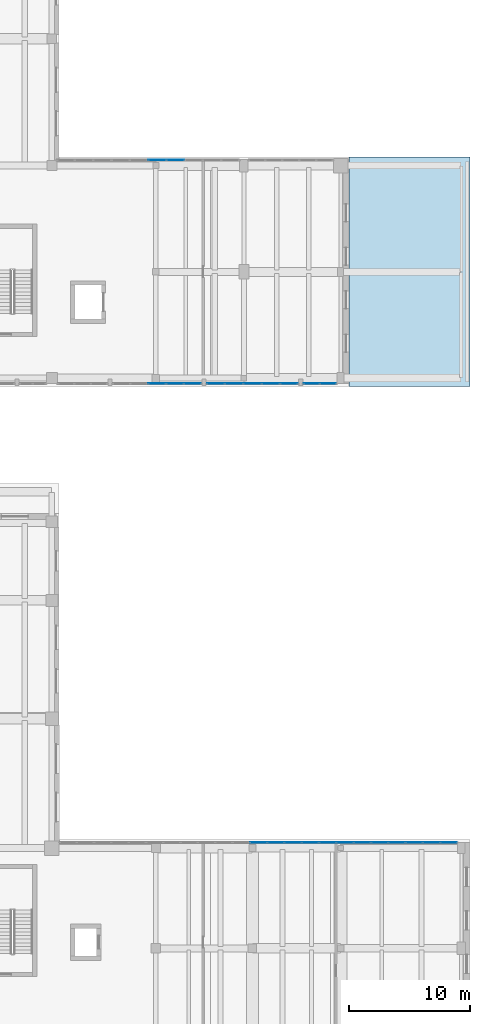
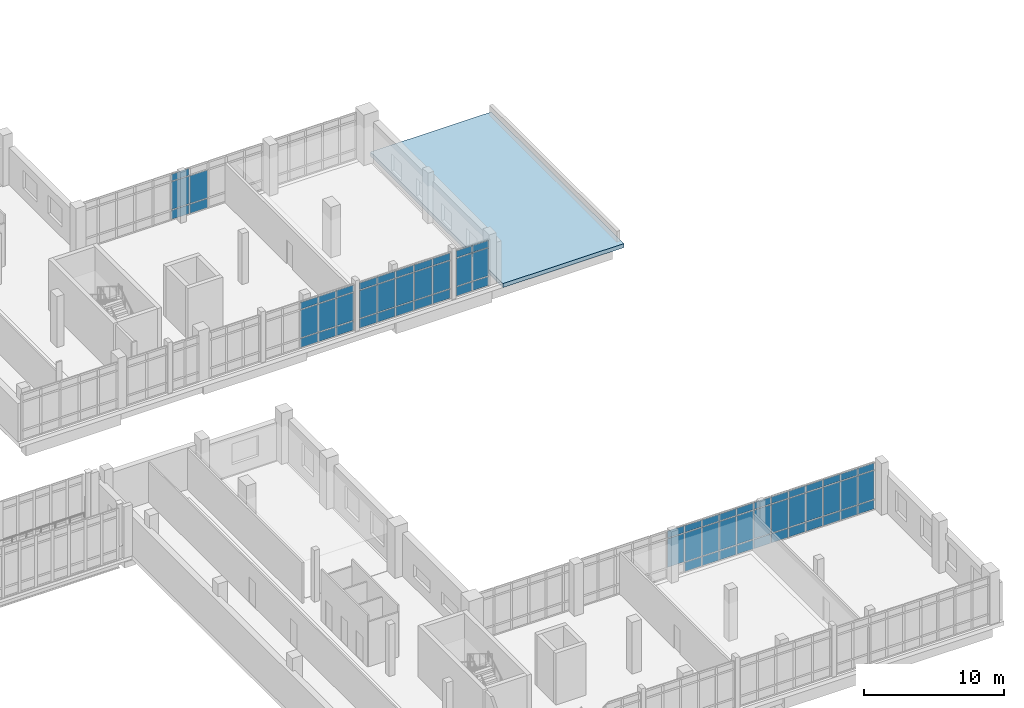
# One storey, part 58 of 89: 70 plates, 1 slab, 5 elements without a shape of their own.
"""IFC4 building model written with IfcOpenShell, lengths in metres."""

from ifc_helpers import new_model, si_unit, direction, frame, origin, origin_2d, place, context, subcontext, project, spatial, polyline, rectangle, outline, extrude, material, layer, layer_set, type_object, element, aggregate, save


model = new_model("IFC4")

# Units and contexts
model_context = context("Model", 3, precision=1e-05, world=origin(), true_north=direction((0.0, 1.0)))
body_context = subcontext(model_context, "Body", "Model", "MODEL_VIEW")
ifc_project = project(units=[si_unit("LENGTHUNIT", "METRE"), si_unit("AREAUNIT", "SQUARE_METRE"), si_unit("VOLUMEUNIT", "CUBIC_METRE"), si_unit("PLANEANGLEUNIT", "RADIAN"), si_unit("MASSUNIT", "GRAM", prefix="KILO")], contexts=[model_context])

# Site, building, storey
site_placement = place(None, origin())
site = spatial("IfcSite", under=ifc_project, at=site_placement, CompositionType="ELEMENT")
building_placement = place(site_placement, origin())
building = spatial("IfcBuilding", under=site, at=building_placement, Name="Soyqirgoq Riverine Aquarium", CompositionType="ELEMENT")
storey_placement = place(building_placement, frame((0.0, 0.0, 5.39990234375)))
storey = spatial("IfcBuildingStorey", under=building, at=storey_placement, Name="L02", CompositionType="ELEMENT", Elevation=5.39990234375)

# Curtain wall, plates
ifc_material_1 = material(Name="Anodised aluminium thermally broken gallery curtain wall", Category="aluminium")
curtain_wall_type = type_object("IfcCurtainWallType", Name="CW_Pavilion_Ribbon", PredefinedType="NOTDEFINED", material=ifc_material_1)
curtain_wall_1_placement = place(storey_placement, origin())
curtain_wall_1 = element("IfcCurtainWall", 1, at=curtain_wall_1_placement, inside=storey, type_object=curtain_wall_type, Name="V6 L02 Curtain Wall 112", PredefinedType="NOTDEFINED")
ifc_material_2 = material(Name="Triple insulated laminated low-E glass", Category="glass")
ifc_layer_1 = layer(ifc_material_2, 0.0458984375)
ifc_layer_set_1 = layer_set([ifc_layer_1], Name="Triple insulated laminated low-E glass")
plate_type_1 = type_object("IfcPlateType", Name="CWGlazedPanel_46", PredefinedType="CURTAIN_PANEL", material=ifc_layer_set_1)
plate_1_placement = place(storey_placement, frame((146.5, 18.25, 0.9375), z_axis=(0.0, 0.0, 1.0), x_axis=(1.0, 0.0, 0.0)))
plate_1 = element("IfcPlate", 2, at=plate_1_placement, type_object=plate_type_1, Name="CW-05 panel 12.2", PredefinedType="CURTAIN_PANEL", context=body_context, shape_type="SweptSolid", body=[
    extrude(rectangle(XDim=1.3681640625, YDim=0.0458984375, at=origin_2d()), origin(), (0.0, 0.0, 1.0), 2.4951171875),
])
plate_2_placement = place(storey_placement, frame((146.5, 18.25, 3.507568359375), z_axis=(0.0, 0.0, 1.0), x_axis=(1.0, 0.0, 0.0)))
plate_2 = element("IfcPlate", 3, at=plate_2_placement, type_object=plate_type_1, Name="CW-05 panel 12.3", PredefinedType="CURTAIN_PANEL", context=body_context, shape_type="SweptSolid", body=[
    extrude(rectangle(XDim=1.3681640625, YDim=0.0458984375, at=origin_2d()), origin(), (0.0, 0.0, 1.0), 0.58740234375),
])
plate_3_placement = place(storey_placement, frame((147.93310546875, 18.25, 0.074951171875), z_axis=(0.0, 0.0, 1.0), x_axis=(1.0, 0.0, 0.0)))
plate_3 = element("IfcPlate", 4, at=plate_3_placement, type_object=plate_type_1, Name="CW-05 panel 13.1", PredefinedType="CURTAIN_PANEL", context=body_context, shape_type="SweptSolid", body=[
    extrude(rectangle(XDim=1.3681640625, YDim=0.0458984375, at=origin_2d()), origin(), (0.0, 0.0, 1.0), 0.78759765625),
])
plate_4_placement = place(storey_placement, frame((147.93310546875, 18.25, 0.9375), z_axis=(0.0, 0.0, 1.0), x_axis=(1.0, 0.0, 0.0)))
plate_4 = element("IfcPlate", 5, at=plate_4_placement, type_object=plate_type_1, Name="CW-05 panel 13.2", PredefinedType="CURTAIN_PANEL", context=body_context, shape_type="SweptSolid", body=[
    extrude(rectangle(XDim=1.3681640625, YDim=0.0458984375, at=origin_2d()), origin(), (0.0, 0.0, 1.0), 2.4951171875),
])
plate_5_placement = place(storey_placement, frame((147.93310546875, 18.25, 3.507568359375), z_axis=(0.0, 0.0, 1.0), x_axis=(1.0, 0.0, 0.0)))
plate_5 = element("IfcPlate", 6, at=plate_5_placement, type_object=plate_type_1, Name="CW-05 panel 13.3", PredefinedType="CURTAIN_PANEL", context=body_context, shape_type="SweptSolid", body=[
    extrude(rectangle(XDim=1.3681640625, YDim=0.0458984375, at=origin_2d()), origin(), (0.0, 0.0, 1.0), 0.58740234375),
])
plate_6_placement = place(storey_placement, frame((149.365966796875, 18.25, 0.074951171875), z_axis=(0.0, 0.0, 1.0), x_axis=(1.0, 0.0, 0.0)))
plate_6 = element("IfcPlate", 7, at=plate_6_placement, type_object=plate_type_1, Name="CW-05 panel 14.1", PredefinedType="CURTAIN_PANEL", context=body_context, shape_type="SweptSolid", body=[
    extrude(rectangle(XDim=1.3681640625, YDim=0.0458984375, at=origin_2d()), origin(), (0.0, 0.0, 1.0), 0.78759765625),
])
plate_7_placement = place(storey_placement, frame((149.365966796875, 18.25, 0.9375), z_axis=(0.0, 0.0, 1.0), x_axis=(1.0, 0.0, 0.0)))
plate_7 = element("IfcPlate", 8, at=plate_7_placement, type_object=plate_type_1, Name="CW-05 panel 14.2", PredefinedType="CURTAIN_PANEL", context=body_context, shape_type="SweptSolid", body=[
    extrude(rectangle(XDim=1.3681640625, YDim=0.0458984375, at=origin_2d()), origin(), (0.0, 0.0, 1.0), 2.4951171875),
])
plate_8_placement = place(storey_placement, frame((149.365966796875, 18.25, 3.507568359375), z_axis=(0.0, 0.0, 1.0), x_axis=(1.0, 0.0, 0.0)))
plate_8 = element("IfcPlate", 9, at=plate_8_placement, type_object=plate_type_1, Name="CW-05 panel 14.3", PredefinedType="CURTAIN_PANEL", context=body_context, shape_type="SweptSolid", body=[
    extrude(rectangle(XDim=1.3681640625, YDim=0.0458984375, at=origin_2d()), origin(), (0.0, 0.0, 1.0), 0.58740234375),
])
plate_9_placement = place(storey_placement, frame((150.799072265625, 18.25, 0.074951171875), z_axis=(0.0, 0.0, 1.0), x_axis=(1.0, 0.0, 0.0)))
plate_9 = element("IfcPlate", 10, at=plate_9_placement, type_object=plate_type_1, Name="CW-05 panel 15.1", PredefinedType="CURTAIN_PANEL", context=body_context, shape_type="SweptSolid", body=[
    extrude(rectangle(XDim=1.3681640625, YDim=0.0458984375, at=origin_2d()), origin(), (0.0, 0.0, 1.0), 0.78759765625),
])
plate_10_placement = place(storey_placement, frame((150.799072265625, 18.25, 0.9375), z_axis=(0.0, 0.0, 1.0), x_axis=(1.0, 0.0, 0.0)))
plate_10 = element("IfcPlate", 11, at=plate_10_placement, type_object=plate_type_1, Name="CW-05 panel 15.2", PredefinedType="CURTAIN_PANEL", context=body_context, shape_type="SweptSolid", body=[
    extrude(rectangle(XDim=1.3681640625, YDim=0.0458984375, at=origin_2d()), origin(), (0.0, 0.0, 1.0), 2.4951171875),
])
plate_11_placement = place(storey_placement, frame((150.799072265625, 18.25, 3.507568359375), z_axis=(0.0, 0.0, 1.0), x_axis=(1.0, 0.0, 0.0)))
plate_11 = element("IfcPlate", 12, at=plate_11_placement, type_object=plate_type_1, Name="CW-05 panel 15.3", PredefinedType="CURTAIN_PANEL", context=body_context, shape_type="SweptSolid", body=[
    extrude(rectangle(XDim=1.3681640625, YDim=0.0458984375, at=origin_2d()), origin(), (0.0, 0.0, 1.0), 0.58740234375),
])
plate_12_placement = place(storey_placement, frame((152.232177734375, 18.25, 0.074951171875), z_axis=(0.0, 0.0, 1.0), x_axis=(1.0, 0.0, 0.0)))
plate_12 = element("IfcPlate", 13, at=plate_12_placement, type_object=plate_type_1, Name="CW-05 panel 16.1", PredefinedType="CURTAIN_PANEL", context=body_context, shape_type="SweptSolid", body=[
    extrude(rectangle(XDim=1.3681640625, YDim=0.0458984375, at=origin_2d()), origin(), (0.0, 0.0, 1.0), 0.78759765625),
])
plate_13_placement = place(storey_placement, frame((152.232177734375, 18.25, 0.9375), z_axis=(0.0, 0.0, 1.0), x_axis=(1.0, 0.0, 0.0)))
plate_13 = element("IfcPlate", 14, at=plate_13_placement, type_object=plate_type_1, Name="CW-05 panel 16.2", PredefinedType="CURTAIN_PANEL", context=body_context, shape_type="SweptSolid", body=[
    extrude(rectangle(XDim=1.3681640625, YDim=0.0458984375, at=origin_2d()), origin(), (0.0, 0.0, 1.0), 2.4951171875),
])
plate_14_placement = place(storey_placement, frame((152.232177734375, 18.25, 3.507568359375), z_axis=(0.0, 0.0, 1.0), x_axis=(1.0, 0.0, 0.0)))
plate_14 = element("IfcPlate", 15, at=plate_14_placement, type_object=plate_type_1, Name="CW-05 panel 16.3", PredefinedType="CURTAIN_PANEL", context=body_context, shape_type="SweptSolid", body=[
    extrude(rectangle(XDim=1.3681640625, YDim=0.0458984375, at=origin_2d()), origin(), (0.0, 0.0, 1.0), 0.58740234375),
])
plate_15_placement = place(storey_placement, frame((153.665283203125, 18.25, 0.074951171875), z_axis=(0.0, 0.0, 1.0), x_axis=(1.0, 0.0, 0.0)))
plate_15 = element("IfcPlate", 16, at=plate_15_placement, type_object=plate_type_1, Name="CW-05 panel 17.1", PredefinedType="CURTAIN_PANEL", context=body_context, shape_type="SweptSolid", body=[
    extrude(rectangle(XDim=1.3681640625, YDim=0.0458984375, at=origin_2d()), origin(), (0.0, 0.0, 1.0), 0.78759765625),
])
plate_16_placement = place(storey_placement, frame((153.665283203125, 18.25, 0.9375), z_axis=(0.0, 0.0, 1.0), x_axis=(1.0, 0.0, 0.0)))
plate_16 = element("IfcPlate", 17, at=plate_16_placement, type_object=plate_type_1, Name="CW-05 panel 17.2", PredefinedType="CURTAIN_PANEL", context=body_context, shape_type="SweptSolid", body=[
    extrude(rectangle(XDim=1.3681640625, YDim=0.0458984375, at=origin_2d()), origin(), (0.0, 0.0, 1.0), 2.4951171875),
])
plate_17_placement = place(storey_placement, frame((153.665283203125, 18.25, 3.507568359375), z_axis=(0.0, 0.0, 1.0), x_axis=(1.0, 0.0, 0.0)))
plate_17 = element("IfcPlate", 18, at=plate_17_placement, type_object=plate_type_1, Name="CW-05 panel 17.3", PredefinedType="CURTAIN_PANEL", context=body_context, shape_type="SweptSolid", body=[
    extrude(rectangle(XDim=1.3681640625, YDim=0.0458984375, at=origin_2d()), origin(), (0.0, 0.0, 1.0), 0.58740234375),
])
plate_18_placement = place(storey_placement, frame((155.09814453125, 18.25, 0.074951171875), z_axis=(0.0, 0.0, 1.0), x_axis=(1.0, 0.0, 0.0)))
plate_18 = element("IfcPlate", 19, at=plate_18_placement, type_object=plate_type_1, Name="CW-05 panel 18.1", PredefinedType="CURTAIN_PANEL", context=body_context, shape_type="SweptSolid", body=[
    extrude(rectangle(XDim=1.3681640625, YDim=0.0458984375, at=origin_2d()), origin(), (0.0, 0.0, 1.0), 0.78759765625),
])
plate_19_placement = place(storey_placement, frame((155.09814453125, 18.25, 0.9375), z_axis=(0.0, 0.0, 1.0), x_axis=(1.0, 0.0, 0.0)))
plate_19 = element("IfcPlate", 20, at=plate_19_placement, type_object=plate_type_1, Name="CW-05 panel 18.2", PredefinedType="CURTAIN_PANEL", context=body_context, shape_type="SweptSolid", body=[
    extrude(rectangle(XDim=1.3681640625, YDim=0.0458984375, at=origin_2d()), origin(), (0.0, 0.0, 1.0), 2.4951171875),
])
plate_20_placement = place(storey_placement, frame((155.09814453125, 18.25, 3.507568359375), z_axis=(0.0, 0.0, 1.0), x_axis=(1.0, 0.0, 0.0)))
plate_20 = element("IfcPlate", 21, at=plate_20_placement, type_object=plate_type_1, Name="CW-05 panel 18.3", PredefinedType="CURTAIN_PANEL", context=body_context, shape_type="SweptSolid", body=[
    extrude(rectangle(XDim=1.3681640625, YDim=0.0458984375, at=origin_2d()), origin(), (0.0, 0.0, 1.0), 0.58740234375),
])
plate_21_placement = place(storey_placement, frame((156.53125, 18.25, 0.074951171875), z_axis=(0.0, 0.0, 1.0), x_axis=(1.0, 0.0, 0.0)))
plate_21 = element("IfcPlate", 22, at=plate_21_placement, type_object=plate_type_1, Name="CW-05 panel 19.1", PredefinedType="CURTAIN_PANEL", context=body_context, shape_type="SweptSolid", body=[
    extrude(rectangle(XDim=1.3681640625, YDim=0.0458984375, at=origin_2d()), origin(), (0.0, 0.0, 1.0), 0.78759765625),
])
plate_22_placement = place(storey_placement, frame((156.53125, 18.25, 0.9375), z_axis=(0.0, 0.0, 1.0), x_axis=(1.0, 0.0, 0.0)))
plate_22 = element("IfcPlate", 23, at=plate_22_placement, type_object=plate_type_1, Name="CW-05 panel 19.2", PredefinedType="CURTAIN_PANEL", context=body_context, shape_type="SweptSolid", body=[
    extrude(rectangle(XDim=1.3681640625, YDim=0.0458984375, at=origin_2d()), origin(), (0.0, 0.0, 1.0), 2.4951171875),
])
plate_23_placement = place(storey_placement, frame((156.53125, 18.25, 3.507568359375), z_axis=(0.0, 0.0, 1.0), x_axis=(1.0, 0.0, 0.0)))
plate_23 = element("IfcPlate", 24, at=plate_23_placement, type_object=plate_type_1, Name="CW-05 panel 19.3", PredefinedType="CURTAIN_PANEL", context=body_context, shape_type="SweptSolid", body=[
    extrude(rectangle(XDim=1.3681640625, YDim=0.0458984375, at=origin_2d()), origin(), (0.0, 0.0, 1.0), 0.58740234375),
])
plate_24_placement = place(storey_placement, frame((157.96435546875, 18.25, 0.074951171875), z_axis=(0.0, 0.0, 1.0), x_axis=(1.0, 0.0, 0.0)))
plate_24 = element("IfcPlate", 25, at=plate_24_placement, type_object=plate_type_1, Name="CW-05 panel 20.1", PredefinedType="CURTAIN_PANEL", context=body_context, shape_type="SweptSolid", body=[
    extrude(rectangle(XDim=1.3681640625, YDim=0.0458984375, at=origin_2d()), origin(), (0.0, 0.0, 1.0), 0.78759765625),
])
plate_25_placement = place(storey_placement, frame((157.96435546875, 18.25, 0.9375), z_axis=(0.0, 0.0, 1.0), x_axis=(1.0, 0.0, 0.0)))
plate_25 = element("IfcPlate", 26, at=plate_25_placement, type_object=plate_type_1, Name="CW-05 panel 20.2", PredefinedType="CURTAIN_PANEL", context=body_context, shape_type="SweptSolid", body=[
    extrude(rectangle(XDim=1.3681640625, YDim=0.0458984375, at=origin_2d()), origin(), (0.0, 0.0, 1.0), 2.4951171875),
])
plate_26_placement = place(storey_placement, frame((157.96435546875, 18.25, 3.507568359375), z_axis=(0.0, 0.0, 1.0), x_axis=(1.0, 0.0, 0.0)))
plate_26 = element("IfcPlate", 27, at=plate_26_placement, type_object=plate_type_1, Name="CW-05 panel 20.3", PredefinedType="CURTAIN_PANEL", context=body_context, shape_type="SweptSolid", body=[
    extrude(rectangle(XDim=1.3681640625, YDim=0.0458984375, at=origin_2d()), origin(), (0.0, 0.0, 1.0), 0.58740234375),
])
plate_27_placement = place(storey_placement, frame((159.3974609375, 18.25, 0.074951171875), z_axis=(0.0, 0.0, 1.0), x_axis=(1.0, 0.0, 0.0)))
plate_27 = element("IfcPlate", 28, at=plate_27_placement, type_object=plate_type_1, Name="CW-05 panel 21.1", PredefinedType="CURTAIN_PANEL", context=body_context, shape_type="SweptSolid", body=[
    extrude(rectangle(XDim=1.3681640625, YDim=0.0458984375, at=origin_2d()), origin(), (0.0, 0.0, 1.0), 0.78759765625),
])
plate_28_placement = place(storey_placement, frame((159.3974609375, 18.25, 0.9375), z_axis=(0.0, 0.0, 1.0), x_axis=(1.0, 0.0, 0.0)))
plate_28 = element("IfcPlate", 29, at=plate_28_placement, type_object=plate_type_1, Name="CW-05 panel 21.2", PredefinedType="CURTAIN_PANEL", context=body_context, shape_type="SweptSolid", body=[
    extrude(rectangle(XDim=1.3681640625, YDim=0.0458984375, at=origin_2d()), origin(), (0.0, 0.0, 1.0), 2.4951171875),
])
plate_29_placement = place(storey_placement, frame((159.3974609375, 18.25, 3.507568359375), z_axis=(0.0, 0.0, 1.0), x_axis=(1.0, 0.0, 0.0)))
plate_29 = element("IfcPlate", 30, at=plate_29_placement, type_object=plate_type_1, Name="CW-05 panel 21.3", PredefinedType="CURTAIN_PANEL", context=body_context, shape_type="SweptSolid", body=[
    extrude(rectangle(XDim=1.3681640625, YDim=0.0458984375, at=origin_2d()), origin(), (0.0, 0.0, 1.0), 0.58740234375),
])
plate_30_placement = place(storey_placement, frame((160.830322265625, 18.25, 0.074951171875), z_axis=(0.0, 0.0, 1.0), x_axis=(1.0, 0.0, 0.0)))
plate_30 = element("IfcPlate", 31, at=plate_30_placement, type_object=plate_type_1, Name="CW-05 panel 22.1", PredefinedType="CURTAIN_PANEL", context=body_context, shape_type="SweptSolid", body=[
    extrude(rectangle(XDim=1.3681640625, YDim=0.0458984375, at=origin_2d()), origin(), (0.0, 0.0, 1.0), 0.78759765625),
])
plate_31_placement = place(storey_placement, frame((160.830322265625, 18.25, 0.9375), z_axis=(0.0, 0.0, 1.0), x_axis=(1.0, 0.0, 0.0)))
plate_31 = element("IfcPlate", 32, at=plate_31_placement, type_object=plate_type_1, Name="CW-05 panel 22.2", PredefinedType="CURTAIN_PANEL", context=body_context, shape_type="SweptSolid", body=[
    extrude(rectangle(XDim=1.3681640625, YDim=0.0458984375, at=origin_2d()), origin(), (0.0, 0.0, 1.0), 2.4951171875),
])
plate_32_placement = place(storey_placement, frame((160.830322265625, 18.25, 3.507568359375), z_axis=(0.0, 0.0, 1.0), x_axis=(1.0, 0.0, 0.0)))
plate_32 = element("IfcPlate", 33, at=plate_32_placement, type_object=plate_type_1, Name="CW-05 panel 22.3", PredefinedType="CURTAIN_PANEL", context=body_context, shape_type="SweptSolid", body=[
    extrude(rectangle(XDim=1.3681640625, YDim=0.0458984375, at=origin_2d()), origin(), (0.0, 0.0, 1.0), 0.58740234375),
])
plate_33_placement = place(storey_placement, frame((162.247314453125, 18.25, 0.074951171875), z_axis=(0.0, 0.0, 1.0), x_axis=(1.0, 0.0, 0.0)))
plate_33 = element("IfcPlate", 34, at=plate_33_placement, type_object=plate_type_1, Name="CW-05 panel 23.1", PredefinedType="CURTAIN_PANEL", context=body_context, shape_type="SweptSolid", body=[
    extrude(rectangle(XDim=1.33544921875, YDim=0.0458984375, at=origin_2d()), origin(), (0.0, 0.0, 1.0), 0.78759765625),
])
plate_34_placement = place(storey_placement, frame((162.247314453125, 18.25, 0.9375), z_axis=(0.0, 0.0, 1.0), x_axis=(1.0, 0.0, 0.0)))
plate_34 = element("IfcPlate", 35, at=plate_34_placement, type_object=plate_type_1, Name="CW-05 panel 23.2", PredefinedType="CURTAIN_PANEL", context=body_context, shape_type="SweptSolid", body=[
    extrude(rectangle(XDim=1.33544921875, YDim=0.0458984375, at=origin_2d()), origin(), (0.0, 0.0, 1.0), 2.4951171875),
])
plate_35_placement = place(storey_placement, frame((162.247314453125, 18.25, 3.507568359375), z_axis=(0.0, 0.0, 1.0), x_axis=(1.0, 0.0, 0.0)))
plate_35 = element("IfcPlate", 36, at=plate_35_placement, type_object=plate_type_1, Name="CW-05 panel 23.3", PredefinedType="CURTAIN_PANEL", context=body_context, shape_type="SweptSolid", body=[
    extrude(rectangle(XDim=1.33544921875, YDim=0.0458984375, at=origin_2d()), origin(), (0.0, 0.0, 1.0), 0.58740234375),
])
aggregate(curtain_wall_1, [plate_1, plate_2, plate_3, plate_4, plate_5, plate_6, plate_7, plate_8, plate_9, plate_10, plate_11, plate_12, plate_13, plate_14, plate_15, plate_16, plate_17, plate_18, plate_19, plate_20, plate_21, plate_22, plate_23, plate_24, plate_25, plate_26, plate_27, plate_28, plate_29, plate_30, plate_31, plate_32, plate_33, plate_34, plate_35])

curtain_wall_2_placement = place(storey_placement, origin())
curtain_wall_2 = element("IfcCurtainWall", 37, at=curtain_wall_2_placement, inside=storey, type_object=curtain_wall_type, Name="V7 L02 Curtain Wall 123", PredefinedType="NOTDEFINED")
plate_36_placement = place(storey_placement, frame((138.116943359375, 74.75, 0.074951171875), z_axis=(0.0, 0.0, 1.0), x_axis=(1.0, 0.0, 0.0)))
plate_36 = element("IfcPlate", 38, at=plate_36_placement, type_object=plate_type_1, Name="CW-05 panel 6.1", PredefinedType="CURTAIN_PANEL", context=body_context, shape_type="SweptSolid", body=[
    extrude(rectangle(XDim=1.448974609375, YDim=0.0458984375, at=origin_2d()), origin(), (0.0, 0.0, 1.0), 0.78759765625),
])
plate_37_placement = place(storey_placement, frame((138.116943359375, 74.75, 0.9375), z_axis=(0.0, 0.0, 1.0), x_axis=(1.0, 0.0, 0.0)))
plate_37 = element("IfcPlate", 39, at=plate_37_placement, type_object=plate_type_1, Name="CW-05 panel 6.2", PredefinedType="CURTAIN_PANEL", context=body_context, shape_type="SweptSolid", body=[
    extrude(rectangle(XDim=1.448974609375, YDim=0.0458984375, at=origin_2d()), origin(), (0.0, 0.0, 1.0), 2.425048828125),
])
plate_38_placement = place(storey_placement, frame((138.116943359375, 74.75, 3.437744140625), z_axis=(0.0, 0.0, 1.0), x_axis=(1.0, 0.0, 0.0)))
plate_38 = element("IfcPlate", 40, at=plate_38_placement, type_object=plate_type_1, Name="CW-05 panel 6.3", PredefinedType="CURTAIN_PANEL", context=body_context, shape_type="SweptSolid", body=[
    extrude(rectangle(XDim=1.448974609375, YDim=0.0458984375, at=origin_2d()), origin(), (0.0, 0.0, 1.0), 0.58740234375),
])
plate_39_placement = place(storey_placement, frame((139.631103515625, 74.75, 0.074951171875), z_axis=(0.0, 0.0, 1.0), x_axis=(1.0, 0.0, 0.0)))
plate_39 = element("IfcPlate", 41, at=plate_39_placement, type_object=plate_type_1, Name="CW-05 panel 7.1", PredefinedType="CURTAIN_PANEL", context=body_context, shape_type="SweptSolid", body=[
    extrude(rectangle(XDim=1.448974609375, YDim=0.0458984375, at=origin_2d()), origin(), (0.0, 0.0, 1.0), 0.78759765625),
])
plate_40_placement = place(storey_placement, frame((139.631103515625, 74.75, 0.9375), z_axis=(0.0, 0.0, 1.0), x_axis=(1.0, 0.0, 0.0)))
plate_40 = element("IfcPlate", 42, at=plate_40_placement, type_object=plate_type_1, Name="CW-05 panel 7.2", PredefinedType="CURTAIN_PANEL", context=body_context, shape_type="SweptSolid", body=[
    extrude(rectangle(XDim=1.448974609375, YDim=0.0458984375, at=origin_2d()), origin(), (0.0, 0.0, 1.0), 2.425048828125),
])
aggregate(curtain_wall_2, [plate_36, plate_37, plate_38, plate_39, plate_40])

curtain_wall_3_placement = place(storey_placement, origin())
curtain_wall_3 = element("IfcCurtainWall", 43, at=curtain_wall_3_placement, inside=storey, type_object=curtain_wall_type, Name="V7 L02 Curtain Wall 125", PredefinedType="NOTDEFINED")
plate_41_placement = place(storey_placement, frame((152.267578125, 56.25, 0.074951171875), z_axis=(0.0, 0.0, 1.0), x_axis=(-1.0, 0.0, 0.0)))
plate_41 = element("IfcPlate", 44, at=plate_41_placement, type_object=plate_type_1, Name="CW-05 panel 1.1", PredefinedType="CURTAIN_PANEL", context=body_context, shape_type="SweptSolid", body=[
    extrude(rectangle(XDim=1.294921875, YDim=0.0458984375, at=origin_2d()), origin(), (0.0, 0.0, 1.0), 0.78759765625),
])
plate_42_placement = place(storey_placement, frame((152.267578125, 56.25, 0.9375), z_axis=(0.0, 0.0, 1.0), x_axis=(-1.0, 0.0, 0.0)))
plate_42 = element("IfcPlate", 45, at=plate_42_placement, type_object=plate_type_1, Name="CW-05 panel 1.2", PredefinedType="CURTAIN_PANEL", context=body_context, shape_type="SweptSolid", body=[
    extrude(rectangle(XDim=1.294921875, YDim=0.0458984375, at=origin_2d()), origin(), (0.0, 0.0, 1.0), 2.425048828125),
])
plate_43_placement = place(storey_placement, frame((152.267578125, 56.25, 3.437744140625), z_axis=(0.0, 0.0, 1.0), x_axis=(-1.0, 0.0, 0.0)))
plate_43 = element("IfcPlate", 46, at=plate_43_placement, type_object=plate_type_1, Name="CW-05 panel 1.3", PredefinedType="CURTAIN_PANEL", context=body_context, shape_type="SweptSolid", body=[
    extrude(rectangle(XDim=1.294921875, YDim=0.0458984375, at=origin_2d()), origin(), (0.0, 0.0, 1.0), 0.58740234375),
])
plate_44_placement = place(storey_placement, frame((150.907470703125, 56.25, 0.074951171875), z_axis=(0.0, 0.0, 1.0), x_axis=(-1.0, 0.0, 0.0)))
plate_44 = element("IfcPlate", 47, at=plate_44_placement, type_object=plate_type_1, Name="CW-05 panel 2.1", PredefinedType="CURTAIN_PANEL", context=body_context, shape_type="SweptSolid", body=[
    extrude(rectangle(XDim=1.294921875, YDim=0.0458984375, at=origin_2d()), origin(), (0.0, 0.0, 1.0), 0.78759765625),
])
plate_45_placement = place(storey_placement, frame((150.907470703125, 56.25, 0.9375), z_axis=(0.0, 0.0, 1.0), x_axis=(-1.0, 0.0, 0.0)))
plate_45 = element("IfcPlate", 48, at=plate_45_placement, type_object=plate_type_1, Name="CW-05 panel 2.2", PredefinedType="CURTAIN_PANEL", context=body_context, shape_type="SweptSolid", body=[
    extrude(rectangle(XDim=1.294921875, YDim=0.0458984375, at=origin_2d()), origin(), (0.0, 0.0, 1.0), 2.425048828125),
])
plate_46_placement = place(storey_placement, frame((150.907470703125, 56.25, 3.437744140625), z_axis=(0.0, 0.0, 1.0), x_axis=(-1.0, 0.0, 0.0)))
plate_46 = element("IfcPlate", 49, at=plate_46_placement, type_object=plate_type_1, Name="CW-05 panel 2.3", PredefinedType="CURTAIN_PANEL", context=body_context, shape_type="SweptSolid", body=[
    extrude(rectangle(XDim=1.294921875, YDim=0.0458984375, at=origin_2d()), origin(), (0.0, 0.0, 1.0), 0.58740234375),
])
aggregate(curtain_wall_3, [plate_41, plate_42, plate_43, plate_44, plate_45, plate_46])

curtain_wall_4_placement = place(storey_placement, origin())
curtain_wall_4 = element("IfcCurtainWall", 50, at=curtain_wall_4_placement, inside=storey, type_object=curtain_wall_type, Name="V7 L02 Curtain Wall 127", PredefinedType="NOTDEFINED")
plate_47_placement = place(storey_placement, frame((141.0478515625, 56.25, 0.074951171875), z_axis=(0.0, 0.0, 1.0), x_axis=(-1.0, 0.0, 0.0)))
plate_47 = element("IfcPlate", 51, at=plate_47_placement, type_object=plate_type_1, Name="CW-05 panel 1.1", PredefinedType="CURTAIN_PANEL", context=body_context, shape_type="SweptSolid", body=[
    extrude(rectangle(XDim=1.384521484375, YDim=0.0458984375, at=origin_2d()), origin(), (0.0, 0.0, 1.0), 0.78759765625),
])
plate_48_placement = place(storey_placement, frame((141.0478515625, 56.25, 0.9375), z_axis=(0.0, 0.0, 1.0), x_axis=(-1.0, 0.0, 0.0)))
plate_48 = element("IfcPlate", 52, at=plate_48_placement, type_object=plate_type_1, Name="CW-05 panel 1.2", PredefinedType="CURTAIN_PANEL", context=body_context, shape_type="SweptSolid", body=[
    extrude(rectangle(XDim=1.384521484375, YDim=0.0458984375, at=origin_2d()), origin(), (0.0, 0.0, 1.0), 2.425048828125),
])
plate_49_placement = place(storey_placement, frame((141.0478515625, 56.25, 3.437744140625), z_axis=(0.0, 0.0, 1.0), x_axis=(-1.0, 0.0, 0.0)))
plate_49 = element("IfcPlate", 53, at=plate_49_placement, type_object=plate_type_1, Name="CW-05 panel 1.3", PredefinedType="CURTAIN_PANEL", context=body_context, shape_type="SweptSolid", body=[
    extrude(rectangle(XDim=1.384521484375, YDim=0.0458984375, at=origin_2d()), origin(), (0.0, 0.0, 1.0), 0.58740234375),
])
plate_50_placement = place(storey_placement, frame((139.58203125, 56.25, 0.074951171875), z_axis=(0.0, 0.0, 1.0), x_axis=(-1.0, 0.0, 0.0)))
plate_50 = element("IfcPlate", 54, at=plate_50_placement, type_object=plate_type_1, Name="CW-05 panel 2.1", PredefinedType="CURTAIN_PANEL", context=body_context, shape_type="SweptSolid", body=[
    extrude(rectangle(XDim=1.4169921875, YDim=0.0458984375, at=origin_2d()), origin(), (0.0, 0.0, 1.0), 0.78759765625),
])
plate_51_placement = place(storey_placement, frame((139.58203125, 56.25, 0.9375), z_axis=(0.0, 0.0, 1.0), x_axis=(-1.0, 0.0, 0.0)))
plate_51 = element("IfcPlate", 55, at=plate_51_placement, type_object=plate_type_1, Name="CW-05 panel 2.2", PredefinedType="CURTAIN_PANEL", context=body_context, shape_type="SweptSolid", body=[
    extrude(rectangle(XDim=1.4169921875, YDim=0.0458984375, at=origin_2d()), origin(), (0.0, 0.0, 1.0), 2.425048828125),
])
plate_52_placement = place(storey_placement, frame((139.58203125, 56.25, 3.437744140625), z_axis=(0.0, 0.0, 1.0), x_axis=(-1.0, 0.0, 0.0)))
plate_52 = element("IfcPlate", 56, at=plate_52_placement, type_object=plate_type_1, Name="CW-05 panel 2.3", PredefinedType="CURTAIN_PANEL", context=body_context, shape_type="SweptSolid", body=[
    extrude(rectangle(XDim=1.4169921875, YDim=0.0458984375, at=origin_2d()), origin(), (0.0, 0.0, 1.0), 0.58740234375),
])
plate_53_placement = place(storey_placement, frame((138.10009765625, 56.25, 0.074951171875), z_axis=(0.0, 0.0, 1.0), x_axis=(-1.0, 0.0, 0.0)))
plate_53 = element("IfcPlate", 57, at=plate_53_placement, type_object=plate_type_1, Name="CW-05 panel 3.1", PredefinedType="CURTAIN_PANEL", context=body_context, shape_type="SweptSolid", body=[
    extrude(rectangle(XDim=1.4169921875, YDim=0.0458984375, at=origin_2d()), origin(), (0.0, 0.0, 1.0), 0.78759765625),
])
plate_54_placement = place(storey_placement, frame((138.10009765625, 56.25, 0.9375), z_axis=(0.0, 0.0, 1.0), x_axis=(-1.0, 0.0, 0.0)))
plate_54 = element("IfcPlate", 58, at=plate_54_placement, type_object=plate_type_1, Name="CW-05 panel 3.2", PredefinedType="CURTAIN_PANEL", context=body_context, shape_type="SweptSolid", body=[
    extrude(rectangle(XDim=1.4169921875, YDim=0.0458984375, at=origin_2d()), origin(), (0.0, 0.0, 1.0), 2.425048828125),
])
plate_55_placement = place(storey_placement, frame((138.10009765625, 56.25, 3.437744140625), z_axis=(0.0, 0.0, 1.0), x_axis=(-1.0, 0.0, 0.0)))
plate_55 = element("IfcPlate", 59, at=plate_55_placement, type_object=plate_type_1, Name="CW-05 panel 3.3", PredefinedType="CURTAIN_PANEL", context=body_context, shape_type="SweptSolid", body=[
    extrude(rectangle(XDim=1.4169921875, YDim=0.0458984375, at=origin_2d()), origin(), (0.0, 0.0, 1.0), 0.58740234375),
])
aggregate(curtain_wall_4, [plate_47, plate_48, plate_49, plate_50, plate_51, plate_52, plate_53, plate_54, plate_55])

curtain_wall_5_placement = place(storey_placement, origin())
curtain_wall_5 = element("IfcCurtainWall", 60, at=curtain_wall_5_placement, inside=storey, type_object=curtain_wall_type, Name="V7 L02 Curtain Wall 126", PredefinedType="NOTDEFINED")
ifc_material_3 = material(Name="Insulated shadow-box aluminium spandrel panel", Category="aluminium")
ifc_layer_2 = layer(ifc_material_3, 0.06005859375)
ifc_layer_set_2 = layer_set([ifc_layer_2], Name="Insulated shadow-box aluminium spandrel panel")
plate_type_2 = type_object("IfcPlateType", Name="CWSpandrelPanel_60", PredefinedType="CURTAIN_PANEL", material=ifc_layer_set_2)
plate_56_placement = place(storey_placement, frame((149.02783203125, 56.25, 0.074951171875), z_axis=(0.0, 0.0, 1.0), x_axis=(-1.0, 0.0, 0.0)))
plate_56 = element("IfcPlate", 61, at=plate_56_placement, type_object=plate_type_2, Name="CW-05 panel 1.1", PredefinedType="CURTAIN_PANEL", context=body_context, shape_type="SweptSolid", body=[
    extrude(rectangle(XDim=1.424560546875, YDim=0.06005859375, at=origin_2d()), origin(), (0.0, 0.0, 1.0), 0.78759765625),
])
plate_57_placement = place(storey_placement, frame((149.02783203125, 56.25, 0.9375), z_axis=(0.0, 0.0, 1.0), x_axis=(-1.0, 0.0, 0.0)))
plate_57 = element("IfcPlate", 62, at=plate_57_placement, type_object=plate_type_2, Name="CW-05 panel 1.2", PredefinedType="CURTAIN_PANEL", context=body_context, shape_type="SweptSolid", body=[
    extrude(rectangle(XDim=1.424560546875, YDim=0.06005859375, at=origin_2d()), origin(), (0.0, 0.0, 1.0), 2.425048828125),
])
plate_58_placement = place(storey_placement, frame((149.02783203125, 56.25, 3.437744140625), z_axis=(0.0, 0.0, 1.0), x_axis=(-1.0, 0.0, 0.0)))
plate_58 = element("IfcPlate", 63, at=plate_58_placement, type_object=plate_type_2, Name="CW-05 panel 1.3", PredefinedType="CURTAIN_PANEL", context=body_context, shape_type="SweptSolid", body=[
    extrude(rectangle(XDim=1.424560546875, YDim=0.06005859375, at=origin_2d()), origin(), (0.0, 0.0, 1.0), 0.58740234375),
])
plate_59_placement = place(storey_placement, frame((147.52197265625, 56.25, 0.074951171875), z_axis=(0.0, 0.0, 1.0), x_axis=(-1.0, 0.0, 0.0)))
plate_59 = element("IfcPlate", 64, at=plate_59_placement, type_object=plate_type_2, Name="CW-05 panel 2.1", PredefinedType="CURTAIN_PANEL", context=body_context, shape_type="SweptSolid", body=[
    extrude(rectangle(XDim=1.45703125, YDim=0.06005859375, at=origin_2d()), origin(), (0.0, 0.0, 1.0), 0.78759765625),
])
plate_60_placement = place(storey_placement, frame((147.52197265625, 56.25, 0.9375), z_axis=(0.0, 0.0, 1.0), x_axis=(-1.0, 0.0, 0.0)))
plate_60 = element("IfcPlate", 65, at=plate_60_placement, type_object=plate_type_2, Name="CW-05 panel 2.2", PredefinedType="CURTAIN_PANEL", context=body_context, shape_type="SweptSolid", body=[
    extrude(rectangle(XDim=1.45703125, YDim=0.06005859375, at=origin_2d()), origin(), (0.0, 0.0, 1.0), 2.425048828125),
])
plate_61_placement = place(storey_placement, frame((147.52197265625, 56.25, 3.437744140625), z_axis=(0.0, 0.0, 1.0), x_axis=(-1.0, 0.0, 0.0)))
plate_61 = element("IfcPlate", 66, at=plate_61_placement, type_object=plate_type_2, Name="CW-05 panel 2.3", PredefinedType="CURTAIN_PANEL", context=body_context, shape_type="SweptSolid", body=[
    extrude(rectangle(XDim=1.45703125, YDim=0.06005859375, at=origin_2d()), origin(), (0.0, 0.0, 1.0), 0.58740234375),
])
plate_62_placement = place(storey_placement, frame((146.0, 56.25, 0.074951171875), z_axis=(0.0, 0.0, 1.0), x_axis=(-1.0, 0.0, 0.0)))
plate_62 = element("IfcPlate", 67, at=plate_62_placement, type_object=plate_type_2, Name="CW-05 panel 3.1", PredefinedType="CURTAIN_PANEL", context=body_context, shape_type="SweptSolid", body=[
    extrude(rectangle(XDim=1.45703125, YDim=0.06005859375, at=origin_2d()), origin(), (0.0, 0.0, 1.0), 0.78759765625),
])
plate_63_placement = place(storey_placement, frame((146.0, 56.25, 0.9375), z_axis=(0.0, 0.0, 1.0), x_axis=(-1.0, 0.0, 0.0)))
plate_63 = element("IfcPlate", 68, at=plate_63_placement, type_object=plate_type_2, Name="CW-05 panel 3.2", PredefinedType="CURTAIN_PANEL", context=body_context, shape_type="SweptSolid", body=[
    extrude(rectangle(XDim=1.45703125, YDim=0.06005859375, at=origin_2d()), origin(), (0.0, 0.0, 1.0), 2.425048828125),
])
plate_64_placement = place(storey_placement, frame((146.0, 56.25, 3.437744140625), z_axis=(0.0, 0.0, 1.0), x_axis=(-1.0, 0.0, 0.0)))
plate_64 = element("IfcPlate", 69, at=plate_64_placement, type_object=plate_type_2, Name="CW-05 panel 3.3", PredefinedType="CURTAIN_PANEL", context=body_context, shape_type="SweptSolid", body=[
    extrude(rectangle(XDim=1.45703125, YDim=0.06005859375, at=origin_2d()), origin(), (0.0, 0.0, 1.0), 0.58740234375),
])
plate_65_placement = place(storey_placement, frame((144.47802734375, 56.25, 0.074951171875), z_axis=(0.0, 0.0, 1.0), x_axis=(-1.0, 0.0, 0.0)))
plate_65 = element("IfcPlate", 70, at=plate_65_placement, type_object=plate_type_2, Name="CW-05 panel 4.1", PredefinedType="CURTAIN_PANEL", context=body_context, shape_type="SweptSolid", body=[
    extrude(rectangle(XDim=1.45703125, YDim=0.06005859375, at=origin_2d()), origin(), (0.0, 0.0, 1.0), 0.78759765625),
])
plate_66_placement = place(storey_placement, frame((144.47802734375, 56.25, 0.9375), z_axis=(0.0, 0.0, 1.0), x_axis=(-1.0, 0.0, 0.0)))
plate_66 = element("IfcPlate", 71, at=plate_66_placement, type_object=plate_type_2, Name="CW-05 panel 4.2", PredefinedType="CURTAIN_PANEL", context=body_context, shape_type="SweptSolid", body=[
    extrude(rectangle(XDim=1.45703125, YDim=0.06005859375, at=origin_2d()), origin(), (0.0, 0.0, 1.0), 2.425048828125),
])
plate_67_placement = place(storey_placement, frame((144.47802734375, 56.25, 3.437744140625), z_axis=(0.0, 0.0, 1.0), x_axis=(-1.0, 0.0, 0.0)))
plate_67 = element("IfcPlate", 72, at=plate_67_placement, type_object=plate_type_2, Name="CW-05 panel 4.3", PredefinedType="CURTAIN_PANEL", context=body_context, shape_type="SweptSolid", body=[
    extrude(rectangle(XDim=1.45703125, YDim=0.06005859375, at=origin_2d()), origin(), (0.0, 0.0, 1.0), 0.58740234375),
])
plate_68_placement = place(storey_placement, frame((142.97216796875, 56.25, 0.074951171875), z_axis=(0.0, 0.0, 1.0), x_axis=(-1.0, 0.0, 0.0)))
plate_68 = element("IfcPlate", 73, at=plate_68_placement, type_object=plate_type_2, Name="CW-05 panel 5.1", PredefinedType="CURTAIN_PANEL", context=body_context, shape_type="SweptSolid", body=[
    extrude(rectangle(XDim=1.424560546875, YDim=0.06005859375, at=origin_2d()), origin(), (0.0, 0.0, 1.0), 0.78759765625),
])
plate_69_placement = place(storey_placement, frame((142.97216796875, 56.25, 0.9375), z_axis=(0.0, 0.0, 1.0), x_axis=(-1.0, 0.0, 0.0)))
plate_69 = element("IfcPlate", 74, at=plate_69_placement, type_object=plate_type_2, Name="CW-05 panel 5.2", PredefinedType="CURTAIN_PANEL", context=body_context, shape_type="SweptSolid", body=[
    extrude(rectangle(XDim=1.424560546875, YDim=0.06005859375, at=origin_2d()), origin(), (0.0, 0.0, 1.0), 2.425048828125),
])
plate_70_placement = place(storey_placement, frame((142.97216796875, 56.25, 3.437744140625), z_axis=(0.0, 0.0, 1.0), x_axis=(-1.0, 0.0, 0.0)))
plate_70 = element("IfcPlate", 75, at=plate_70_placement, type_object=plate_type_2, Name="CW-05 panel 5.3", PredefinedType="CURTAIN_PANEL", context=body_context, shape_type="SweptSolid", body=[
    extrude(rectangle(XDim=1.424560546875, YDim=0.06005859375, at=origin_2d()), origin(), (0.0, 0.0, 1.0), 0.58740234375),
])
aggregate(curtain_wall_5, [plate_56, plate_57, plate_58, plate_59, plate_60, plate_61, plate_62, plate_63, plate_64, plate_65, plate_66, plate_67, plate_68, plate_69, plate_70])

# Slab
ifc_material_4 = material(Name="Concrete C35/45", Category="concrete")
ifc_layer_3 = layer(ifc_material_4, 0.35009765625)
ifc_layer_set_3 = layer_set([ifc_layer_3], Name="Concrete C35/45")
slab_type = type_object("IfcSlabType", Name="StepRoof_350_C35", PredefinedType="ROOF", material=ifc_layer_set_3)
slab_placement = place(storey_placement, frame((0.0, 0.0, -0.349853515625)))
element("IfcSlab", 76, at=slab_placement, inside=storey, type_object=slab_type, Name="V7 L02 East Plant Step Roof", PredefinedType="ROOF", context=body_context, shape_type="SweptSolid", body=[
    extrude(outline(polyline([(154.0, 56.0), (164.0, 56.0), (164.0, 75.0), (154.0, 75.0), (154.0, 56.0)])), origin(), (0.0, 0.0, 1.0), 0.349853515625),
])

save(model, "model.ifc")
